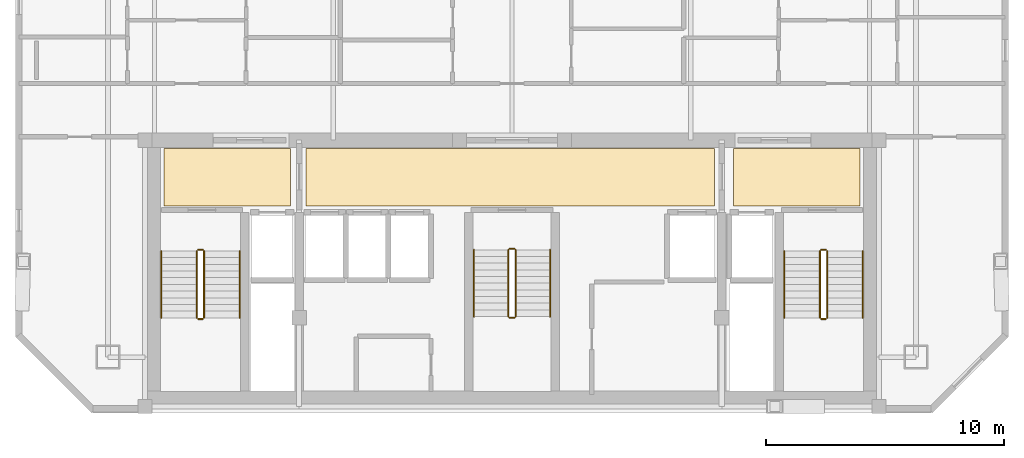
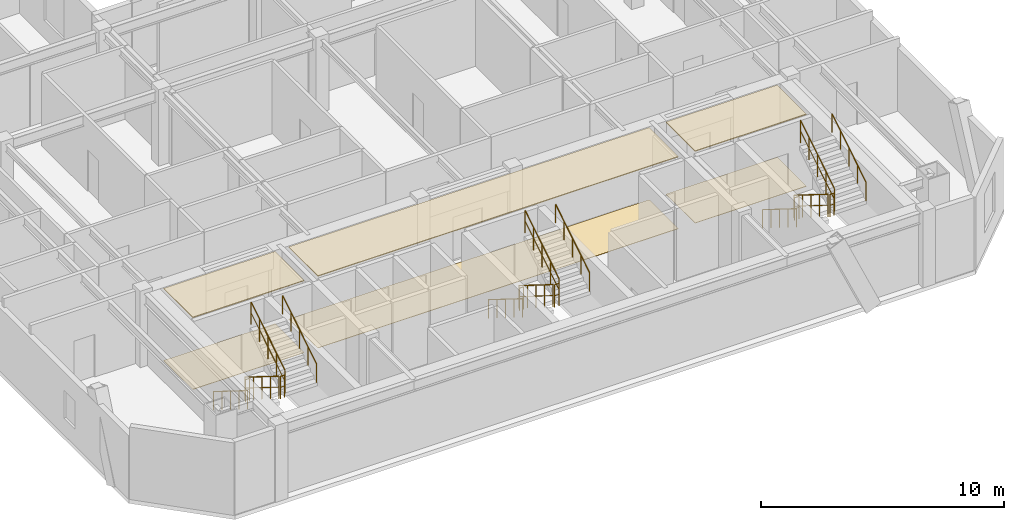
# One storey, part 11 of 11: 18 railings, 6 coverings.
"""IFC4 building model written with IfcOpenShell, lengths in metres."""

from ifc_helpers import new_model, si_unit, direction, frame, origin, origin_2d, place, context, subcontext, project, spatial, polyline, circle, outline, extrude, material, layer, layer_set, type_object, element, save


model = new_model("IFC4")

# Units and contexts
model_context = context("Model", 3, precision=1e-05, world=origin(), true_north=direction((0.0, 1.0)))
body_context = subcontext(model_context, "Body", "Model", "MODEL_VIEW")
ifc_project = project(units=[si_unit("LENGTHUNIT", "METRE"), si_unit("AREAUNIT", "SQUARE_METRE"), si_unit("VOLUMEUNIT", "CUBIC_METRE"), si_unit("PLANEANGLEUNIT", "RADIAN"), si_unit("MASSUNIT", "GRAM", prefix="KILO")], contexts=[model_context])

# Site, building, storey
site_placement = place(None, origin())
site = spatial("IfcSite", under=ifc_project, at=site_placement, CompositionType="ELEMENT")
building_placement = place(site_placement, origin())
building = spatial("IfcBuilding", under=site, at=building_placement, Name="Ventersveld Concourse Tower", CompositionType="ELEMENT")
storey_placement = place(building_placement, frame((0.0, 0.0, 256.75)))
storey = spatial("IfcBuildingStorey", under=building, at=storey_placement, Name="L63", CompositionType="ELEMENT", Elevation=256.75)

# Coverings
ifc_material_1 = material(Name="Mineral-fibre acoustic ceiling tile", Category="gypsum")
ifc_layer_1 = layer(ifc_material_1, 0.0400390625)
ifc_layer_set_1 = layer_set([ifc_layer_1], Name="Mineral-fibre acoustic ceiling tile")
covering_type_1 = type_object("IfcCoveringType", Name="COV-CEIL-ACOUSTIC", PredefinedType="CEILING", material=ifc_layer_set_1)
covering_1_placement = place(storey_placement, frame((0.0, 0.0, 3.610107421875)))
element("IfcCovering", 1, at=covering_1_placement, inside=storey, type_object=covering_type_1, Name="L63 North Lift Lobby Acoustic Ceiling", PredefinedType="CEILING", context=body_context, shape_type="SweptSolid", body=[
    extrude(outline(polyline([(20.10009765625, 8.699951171875), (37.25, 8.699951171875), (37.25, 11.10009765625), (20.10009765625, 11.10009765625), (20.10009765625, 8.699951171875)])), origin(), (0.0, 0.0, 1.0), 0.039794921875),
])
covering_2_placement = place(storey_placement, frame((0.0, 0.0, 3.610107421875)))
element("IfcCovering", 2, at=covering_2_placement, inside=storey, type_object=covering_type_1, Name="L63 West Firefighting Lobby Acoustic Ceiling", PredefinedType="CEILING", context=body_context, shape_type="SweptSolid", body=[
    extrude(outline(polyline([(14.14990234375, 8.699951171875), (19.449951171875, 8.699951171875), (19.449951171875, 11.10009765625), (14.14990234375, 11.10009765625), (14.14990234375, 8.699951171875)])), origin(), (0.0, 0.0, 1.0), 0.039794921875),
])
covering_3_placement = place(storey_placement, frame((0.0, 0.0, 3.610107421875)))
element("IfcCovering", 3, at=covering_3_placement, inside=storey, type_object=covering_type_1, Name="L63 East Firefighting Lobby Acoustic Ceiling", PredefinedType="CEILING", context=body_context, shape_type="SweptSolid", body=[
    extrude(outline(polyline([(38.050048828125, 8.699951171875), (43.35009765625, 8.699951171875), (43.35009765625, 11.10009765625), (38.050048828125, 11.10009765625), (38.050048828125, 8.699951171875)])), origin(), (0.0, 0.0, 1.0), 0.039794921875),
])
ifc_material_2 = material(Name="Polished Highveld granite terrazzo", Category="masonry")
ifc_layer_2 = layer(ifc_material_2, 0.02001953125)
ifc_layer_set_2 = layer_set([ifc_layer_2], Name="Polished Highveld granite terrazzo")
covering_type_2 = type_object("IfcCoveringType", Name="COV-FLOOR-TERRAZZO", PredefinedType="FLOORING", material=ifc_layer_set_2)
covering_4_placement = place(storey_placement, origin())
element("IfcCovering", 4, at=covering_4_placement, inside=storey, type_object=covering_type_2, Name="L63 North Lift Lobby Terrazzo Flooring", PredefinedType="FLOORING", context=body_context, shape_type="SweptSolid", body=[
    extrude(outline(polyline([(20.10009765625, 8.699951171875), (37.25, 8.699951171875), (37.25, 11.10009765625), (20.10009765625, 11.10009765625), (20.10009765625, 8.699951171875)])), origin(), (0.0, 0.0, 1.0), 0.02001953125),
])
covering_5_placement = place(storey_placement, origin())
element("IfcCovering", 5, at=covering_5_placement, inside=storey, type_object=covering_type_2, Name="L63 West Firefighting Lobby Terrazzo Flooring", PredefinedType="FLOORING", context=body_context, shape_type="SweptSolid", body=[
    extrude(outline(polyline([(14.14990234375, 8.699951171875), (19.449951171875, 8.699951171875), (19.449951171875, 11.10009765625), (14.14990234375, 11.10009765625), (14.14990234375, 8.699951171875)])), origin(), (0.0, 0.0, 1.0), 0.02001953125),
])
covering_6_placement = place(storey_placement, origin())
element("IfcCovering", 6, at=covering_6_placement, inside=storey, type_object=covering_type_2, Name="L63 East Firefighting Lobby Terrazzo Flooring", PredefinedType="FLOORING", context=body_context, shape_type="SweptSolid", body=[
    extrude(outline(polyline([(38.050048828125, 8.699951171875), (43.35009765625, 8.699951171875), (43.35009765625, 11.10009765625), (38.050048828125, 11.10009765625), (38.050048828125, 8.699951171875)])), origin(), (0.0, 0.0, 1.0), 0.02001953125),
])

# Railings
ifc_material_3 = material(Name="Brushed stainless steel 316", Category="steel")
railing_type_1 = type_object("IfcRailingType", Name="GD-BAL-115", PredefinedType="GUARDRAIL", material=ifc_material_3)
railing_1_placement = place(storey_placement, frame((15.530029296875, 6.800048828125, 0.175048828125)))
element("IfcRailing", 7, at=railing_1_placement, inside=storey, type_object=railing_type_1, Name="L63 ST-01 stair guard 1", PredefinedType="GUARDRAIL", context=body_context, shape_type="SweptSolid", body=[
    extrude(circle(Radius=0.02392578125, at=origin_2d()), frame((0.0, 0.0, 1.1259765625), z_axis=(0.0, -0.848002457836, 0.529992293815), x_axis=(1.0, 0.0, 0.0)), (0.0, 0.0, 1.0), 3.302001953125),
    extrude(circle(Radius=0.01611328125, at=origin_2d()), frame((0.0, 0.0, 0.574951171875), z_axis=(0.0, -0.848002457836, 0.529992293815), x_axis=(1.0, 0.0, 0.0)), (0.0, 0.0, 1.0), 3.302001953125),
    extrude(circle(Radius=0.02099609375, at=origin_2d()), origin(), (0.0, 0.0, 1.0), 1.101806640625),
    extrude(circle(Radius=0.02099609375, at=origin_2d()), frame((0.0, -0.699951171875, 0.4375)), (0.0, 0.0, 1.0), 1.101806640625),
    extrude(circle(Radius=0.02099609375, at=origin_2d()), frame((0.0, -1.39990234375, 0.875)), (0.0, 0.0, 1.0), 1.101806640625),
    extrude(circle(Radius=0.02099609375, at=origin_2d()), frame((0.0, -2.10009765625, 1.3125)), (0.0, 0.0, 1.0), 1.101806640625),
    extrude(circle(Radius=0.02099609375, at=origin_2d()), frame((0.0, -2.800048828125, 1.75)), (0.0, 0.0, 1.0), 1.101806640625),
])
railing_2_placement = place(storey_placement, frame((15.580078125, 3.949951171875, 1.925048828125)))
element("IfcRailing", 8, at=railing_2_placement, inside=storey, type_object=railing_type_1, Name="L63 ST-01 stair guard 2", PredefinedType="GUARDRAIL", context=body_context, shape_type="SweptSolid", body=[
    extrude(circle(Radius=0.02392578125, at=origin_2d()), frame((0.0, 0.0, 1.1259765625), z_axis=(1.0, 0.0, 0.0), x_axis=(0.0, 1.0, 0.0)), (0.0, 0.0, 1.0), 0.199951171875),
    extrude(circle(Radius=0.01611328125, at=origin_2d()), frame((0.0, 0.0, 0.574951171875), z_axis=(1.0, 0.0, 0.0), x_axis=(0.0, 1.0, 0.0)), (0.0, 0.0, 1.0), 0.199951171875),
    extrude(circle(Radius=0.02099609375, at=origin_2d()), origin(), (0.0, 0.0, 1.0), 1.101806640625),
    extrude(circle(Radius=0.02099609375, at=origin_2d()), frame((0.199951171875, 0.0, 0.0)), (0.0, 0.0, 1.0), 1.101806640625),
])
railing_3_placement = place(storey_placement, frame((15.830078125, 4.0, 2.10009765625)))
element("IfcRailing", 9, at=railing_3_placement, inside=storey, type_object=railing_type_1, Name="L63 ST-01 stair guard 3", PredefinedType="GUARDRAIL", context=body_context, shape_type="SweptSolid", body=[
    extrude(circle(Radius=0.02392578125, at=origin_2d()), frame((0.0, 0.0, 1.1259765625), z_axis=(0.0, 0.848002457836, 0.529992293815), x_axis=(-1.0, 0.0, 0.0)), (0.0, 0.0, 1.0), 3.302001953125),
    extrude(circle(Radius=0.01611328125, at=origin_2d()), frame((0.0, 0.0, 0.574951171875), z_axis=(0.0, 0.848002457836, 0.529992293815), x_axis=(-1.0, 0.0, 0.0)), (0.0, 0.0, 1.0), 3.302001953125),
    extrude(circle(Radius=0.02099609375, at=origin_2d()), origin(), (0.0, 0.0, 1.0), 1.101806640625),
    extrude(circle(Radius=0.02099609375, at=origin_2d()), frame((0.0, 0.699951171875, 0.4375)), (0.0, 0.0, 1.0), 1.101806640625),
    extrude(circle(Radius=0.02099609375, at=origin_2d()), frame((0.0, 1.39990234375, 0.875)), (0.0, 0.0, 1.0), 1.101806640625),
    extrude(circle(Radius=0.02099609375, at=origin_2d()), frame((0.0, 2.10009765625, 1.3125)), (0.0, 0.0, 1.0), 1.101806640625),
    extrude(circle(Radius=0.02099609375, at=origin_2d()), frame((0.0, 2.800048828125, 1.75)), (0.0, 0.0, 1.0), 1.101806640625),
])
railing_4_placement = place(storey_placement, frame((15.580078125, 6.85009765625, 0.0)))
element("IfcRailing", 10, at=railing_4_placement, inside=storey, type_object=railing_type_1, Name="L63 ST-01 stair guard 4", PredefinedType="GUARDRAIL", context=body_context, shape_type="SweptSolid", body=[
    extrude(circle(Radius=0.02392578125, at=origin_2d()), frame((0.0, 0.0, 1.1259765625), z_axis=(1.0, 0.0, 0.0), x_axis=(0.0, 1.0, 0.0)), (0.0, 0.0, 1.0), 0.199951171875),
    extrude(circle(Radius=0.01611328125, at=origin_2d()), frame((0.0, 0.0, 0.574951171875), z_axis=(1.0, 0.0, 0.0), x_axis=(0.0, 1.0, 0.0)), (0.0, 0.0, 1.0), 0.199951171875),
    extrude(circle(Radius=0.02099609375, at=origin_2d()), origin(), (0.0, 0.0, 1.0), 1.101806640625),
    extrude(circle(Radius=0.02099609375, at=origin_2d()), frame((0.199951171875, 0.0, 0.0)), (0.0, 0.0, 1.0), 1.101806640625),
])
railing_5_placement = place(storey_placement, frame((41.669921875, 6.800048828125, 0.175048828125)))
element("IfcRailing", 11, at=railing_5_placement, inside=storey, type_object=railing_type_1, Name="L63 ST-02 stair guard 1", PredefinedType="GUARDRAIL", context=body_context, shape_type="SweptSolid", body=[
    extrude(circle(Radius=0.02392578125, at=origin_2d()), frame((0.0, 0.0, 1.1259765625), z_axis=(0.0, -0.848002457836, 0.529992293815), x_axis=(1.0, 0.0, 0.0)), (0.0, 0.0, 1.0), 3.302001953125),
    extrude(circle(Radius=0.01611328125, at=origin_2d()), frame((0.0, 0.0, 0.574951171875), z_axis=(0.0, -0.848002457836, 0.529992293815), x_axis=(1.0, 0.0, 0.0)), (0.0, 0.0, 1.0), 3.302001953125),
    extrude(circle(Radius=0.02099609375, at=origin_2d()), origin(), (0.0, 0.0, 1.0), 1.101806640625),
    extrude(circle(Radius=0.02099609375, at=origin_2d()), frame((0.0, -0.699951171875, 0.4375)), (0.0, 0.0, 1.0), 1.101806640625),
    extrude(circle(Radius=0.02099609375, at=origin_2d()), frame((0.0, -1.39990234375, 0.875)), (0.0, 0.0, 1.0), 1.101806640625),
    extrude(circle(Radius=0.02099609375, at=origin_2d()), frame((0.0, -2.10009765625, 1.3125)), (0.0, 0.0, 1.0), 1.101806640625),
    extrude(circle(Radius=0.02099609375, at=origin_2d()), frame((0.0, -2.800048828125, 1.75)), (0.0, 0.0, 1.0), 1.101806640625),
])
railing_6_placement = place(storey_placement, frame((41.719970703125, 3.949951171875, 1.925048828125)))
element("IfcRailing", 12, at=railing_6_placement, inside=storey, type_object=railing_type_1, Name="L63 ST-02 stair guard 2", PredefinedType="GUARDRAIL", context=body_context, shape_type="SweptSolid", body=[
    extrude(circle(Radius=0.02392578125, at=origin_2d()), frame((0.0, 0.0, 1.1259765625), z_axis=(1.0, 0.0, 0.0), x_axis=(0.0, 1.0, 0.0)), (0.0, 0.0, 1.0), 0.199951171875),
    extrude(circle(Radius=0.01611328125, at=origin_2d()), frame((0.0, 0.0, 0.574951171875), z_axis=(1.0, 0.0, 0.0), x_axis=(0.0, 1.0, 0.0)), (0.0, 0.0, 1.0), 0.199951171875),
    extrude(circle(Radius=0.02099609375, at=origin_2d()), origin(), (0.0, 0.0, 1.0), 1.101806640625),
    extrude(circle(Radius=0.02099609375, at=origin_2d()), frame((0.199951171875, 0.0, 0.0)), (0.0, 0.0, 1.0), 1.101806640625),
])
railing_7_placement = place(storey_placement, frame((41.969970703125, 4.0, 2.10009765625)))
element("IfcRailing", 13, at=railing_7_placement, inside=storey, type_object=railing_type_1, Name="L63 ST-02 stair guard 3", PredefinedType="GUARDRAIL", context=body_context, shape_type="SweptSolid", body=[
    extrude(circle(Radius=0.02392578125, at=origin_2d()), frame((0.0, 0.0, 1.1259765625), z_axis=(0.0, 0.848002457836, 0.529992293815), x_axis=(-1.0, 0.0, 0.0)), (0.0, 0.0, 1.0), 3.302001953125),
    extrude(circle(Radius=0.01611328125, at=origin_2d()), frame((0.0, 0.0, 0.574951171875), z_axis=(0.0, 0.848002457836, 0.529992293815), x_axis=(-1.0, 0.0, 0.0)), (0.0, 0.0, 1.0), 3.302001953125),
    extrude(circle(Radius=0.02099609375, at=origin_2d()), origin(), (0.0, 0.0, 1.0), 1.101806640625),
    extrude(circle(Radius=0.02099609375, at=origin_2d()), frame((0.0, 0.699951171875, 0.4375)), (0.0, 0.0, 1.0), 1.101806640625),
    extrude(circle(Radius=0.02099609375, at=origin_2d()), frame((0.0, 1.39990234375, 0.875)), (0.0, 0.0, 1.0), 1.101806640625),
    extrude(circle(Radius=0.02099609375, at=origin_2d()), frame((0.0, 2.10009765625, 1.3125)), (0.0, 0.0, 1.0), 1.101806640625),
    extrude(circle(Radius=0.02099609375, at=origin_2d()), frame((0.0, 2.800048828125, 1.75)), (0.0, 0.0, 1.0), 1.101806640625),
])
railing_8_placement = place(storey_placement, frame((41.719970703125, 6.85009765625, 0.0)))
element("IfcRailing", 14, at=railing_8_placement, inside=storey, type_object=railing_type_1, Name="L63 ST-02 stair guard 4", PredefinedType="GUARDRAIL", context=body_context, shape_type="SweptSolid", body=[
    extrude(circle(Radius=0.02392578125, at=origin_2d()), frame((0.0, 0.0, 1.1259765625), z_axis=(1.0, 0.0, 0.0), x_axis=(0.0, 1.0, 0.0)), (0.0, 0.0, 1.0), 0.199951171875),
    extrude(circle(Radius=0.01611328125, at=origin_2d()), frame((0.0, 0.0, 0.574951171875), z_axis=(1.0, 0.0, 0.0), x_axis=(0.0, 1.0, 0.0)), (0.0, 0.0, 1.0), 0.199951171875),
    extrude(circle(Radius=0.02099609375, at=origin_2d()), origin(), (0.0, 0.0, 1.0), 1.101806640625),
    extrude(circle(Radius=0.02099609375, at=origin_2d()), frame((0.199951171875, 0.0, 0.0)), (0.0, 0.0, 1.0), 1.101806640625),
])
railing_9_placement = place(storey_placement, frame((28.60009765625, 6.85009765625, 0.175048828125)))
element("IfcRailing", 15, at=railing_9_placement, inside=storey, type_object=railing_type_1, Name="L63 ST-03 stair guard 1", PredefinedType="GUARDRAIL", context=body_context, shape_type="SweptSolid", body=[
    extrude(circle(Radius=0.02392578125, at=origin_2d()), frame((0.0, 0.0, 1.1259765625), z_axis=(0.0, -0.848002457836, 0.529992293815), x_axis=(1.0, 0.0, 0.0)), (0.0, 0.0, 1.0), 3.302001953125),
    extrude(circle(Radius=0.01611328125, at=origin_2d()), frame((0.0, 0.0, 0.574951171875), z_axis=(0.0, -0.848002457836, 0.529992293815), x_axis=(1.0, 0.0, 0.0)), (0.0, 0.0, 1.0), 3.302001953125),
    extrude(circle(Radius=0.02099609375, at=origin_2d()), origin(), (0.0, 0.0, 1.0), 1.101806640625),
    extrude(circle(Radius=0.02099609375, at=origin_2d()), frame((0.0, -0.699951171875, 0.4375)), (0.0, 0.0, 1.0), 1.101806640625),
    extrude(circle(Radius=0.02099609375, at=origin_2d()), frame((0.0, -1.39990234375, 0.875)), (0.0, 0.0, 1.0), 1.101806640625),
    extrude(circle(Radius=0.02099609375, at=origin_2d()), frame((0.0, -2.10009765625, 1.3125)), (0.0, 0.0, 1.0), 1.101806640625),
    extrude(circle(Radius=0.02099609375, at=origin_2d()), frame((0.0, -2.800048828125, 1.75)), (0.0, 0.0, 1.0), 1.101806640625),
])
railing_10_placement = place(storey_placement, frame((28.64990234375, 4.0, 1.925048828125)))
element("IfcRailing", 16, at=railing_10_placement, inside=storey, type_object=railing_type_1, Name="L63 ST-03 stair guard 2", PredefinedType="GUARDRAIL", context=body_context, shape_type="SweptSolid", body=[
    extrude(circle(Radius=0.02392578125, at=origin_2d()), frame((0.0, 0.0, 1.1259765625), z_axis=(1.0, 0.0, 0.0), x_axis=(0.0, 1.0, 0.0)), (0.0, 0.0, 1.0), 0.2001953125),
    extrude(circle(Radius=0.01611328125, at=origin_2d()), frame((0.0, 0.0, 0.574951171875), z_axis=(1.0, 0.0, 0.0), x_axis=(0.0, 1.0, 0.0)), (0.0, 0.0, 1.0), 0.2001953125),
    extrude(circle(Radius=0.02099609375, at=origin_2d()), origin(), (0.0, 0.0, 1.0), 1.101806640625),
    extrude(circle(Radius=0.02099609375, at=origin_2d()), frame((0.2001953125, 0.0, 0.0)), (0.0, 0.0, 1.0), 1.101806640625),
])
railing_11_placement = place(storey_placement, frame((28.89990234375, 4.050048828125, 2.10009765625)))
element("IfcRailing", 17, at=railing_11_placement, inside=storey, type_object=railing_type_1, Name="L63 ST-03 stair guard 3", PredefinedType="GUARDRAIL", context=body_context, shape_type="SweptSolid", body=[
    extrude(circle(Radius=0.02392578125, at=origin_2d()), frame((0.0, 0.0, 1.1259765625), z_axis=(0.0, 0.848002457836, 0.529992293815), x_axis=(-1.0, 0.0, 0.0)), (0.0, 0.0, 1.0), 3.302001953125),
    extrude(circle(Radius=0.01611328125, at=origin_2d()), frame((0.0, 0.0, 0.574951171875), z_axis=(0.0, 0.848002457836, 0.529992293815), x_axis=(-1.0, 0.0, 0.0)), (0.0, 0.0, 1.0), 3.302001953125),
    extrude(circle(Radius=0.02099609375, at=origin_2d()), origin(), (0.0, 0.0, 1.0), 1.101806640625),
    extrude(circle(Radius=0.02099609375, at=origin_2d()), frame((0.0, 0.699951171875, 0.4375)), (0.0, 0.0, 1.0), 1.101806640625),
    extrude(circle(Radius=0.02099609375, at=origin_2d()), frame((0.0, 1.39990234375, 0.875)), (0.0, 0.0, 1.0), 1.101806640625),
    extrude(circle(Radius=0.02099609375, at=origin_2d()), frame((0.0, 2.10009765625, 1.3125)), (0.0, 0.0, 1.0), 1.101806640625),
    extrude(circle(Radius=0.02099609375, at=origin_2d()), frame((0.0, 2.800048828125, 1.75)), (0.0, 0.0, 1.0), 1.101806640625),
])
railing_12_placement = place(storey_placement, frame((28.64990234375, 6.89990234375, 0.0)))
element("IfcRailing", 18, at=railing_12_placement, inside=storey, type_object=railing_type_1, Name="L63 ST-03 stair guard 4", PredefinedType="GUARDRAIL", context=body_context, shape_type="SweptSolid", body=[
    extrude(circle(Radius=0.02392578125, at=origin_2d()), frame((0.0, 0.0, 1.1259765625), z_axis=(1.0, 0.0, 0.0), x_axis=(0.0, 1.0, 0.0)), (0.0, 0.0, 1.0), 0.2001953125),
    extrude(circle(Radius=0.01611328125, at=origin_2d()), frame((0.0, 0.0, 0.574951171875), z_axis=(1.0, 0.0, 0.0), x_axis=(0.0, 1.0, 0.0)), (0.0, 0.0, 1.0), 0.2001953125),
    extrude(circle(Radius=0.02099609375, at=origin_2d()), origin(), (0.0, 0.0, 1.0), 1.101806640625),
    extrude(circle(Radius=0.02099609375, at=origin_2d()), frame((0.2001953125, 0.0, 0.0)), (0.0, 0.0, 1.0), 1.101806640625),
])
railing_type_2 = type_object("IfcRailingType", Name="HR-RMP-095", PredefinedType="HANDRAIL", material=ifc_material_3)
railing_13_placement = place(storey_placement, frame((14.030029296875, 6.800048828125, 0.175048828125)))
element("IfcRailing", 19, at=railing_13_placement, inside=storey, type_object=railing_type_2, Name="L63 ST-01 stair handrail 1", PredefinedType="HANDRAIL", context=body_context, shape_type="SweptSolid", body=[
    extrude(circle(Radius=0.02392578125, at=origin_2d()), frame((0.0, 0.0, 0.92578125), z_axis=(0.0, -0.848002457836, 0.529992293815), x_axis=(1.0, 0.0, 0.0)), (0.0, 0.0, 1.0), 3.302001953125),
    extrude(circle(Radius=0.02099609375, at=origin_2d()), origin(), (0.0, 0.0, 1.0), 0.90185546875),
    extrude(circle(Radius=0.02099609375, at=origin_2d()), frame((0.0, -0.699951171875, 0.4375)), (0.0, 0.0, 1.0), 0.90185546875),
    extrude(circle(Radius=0.02099609375, at=origin_2d()), frame((0.0, -1.39990234375, 0.875)), (0.0, 0.0, 1.0), 0.90185546875),
    extrude(circle(Radius=0.02099609375, at=origin_2d()), frame((0.0, -2.10009765625, 1.3125)), (0.0, 0.0, 1.0), 0.90185546875),
    extrude(circle(Radius=0.02099609375, at=origin_2d()), frame((0.0, -2.800048828125, 1.75)), (0.0, 0.0, 1.0), 0.90185546875),
])
railing_14_placement = place(storey_placement, frame((17.330078125, 4.0, 2.10009765625)))
element("IfcRailing", 20, at=railing_14_placement, inside=storey, type_object=railing_type_2, Name="L63 ST-01 stair handrail 2", PredefinedType="HANDRAIL", context=body_context, shape_type="SweptSolid", body=[
    extrude(circle(Radius=0.02392578125, at=origin_2d()), frame((0.0, 0.0, 0.92578125), z_axis=(0.0, 0.848002457836, 0.529992293815), x_axis=(-1.0, 0.0, 0.0)), (0.0, 0.0, 1.0), 3.302001953125),
    extrude(circle(Radius=0.02099609375, at=origin_2d()), origin(), (0.0, 0.0, 1.0), 0.90185546875),
    extrude(circle(Radius=0.02099609375, at=origin_2d()), frame((0.0, 0.699951171875, 0.4375)), (0.0, 0.0, 1.0), 0.90185546875),
    extrude(circle(Radius=0.02099609375, at=origin_2d()), frame((0.0, 1.39990234375, 0.875)), (0.0, 0.0, 1.0), 0.90185546875),
    extrude(circle(Radius=0.02099609375, at=origin_2d()), frame((0.0, 2.10009765625, 1.3125)), (0.0, 0.0, 1.0), 0.90185546875),
    extrude(circle(Radius=0.02099609375, at=origin_2d()), frame((0.0, 2.800048828125, 1.75)), (0.0, 0.0, 1.0), 0.90185546875),
])
railing_15_placement = place(storey_placement, frame((40.169921875, 6.800048828125, 0.175048828125)))
element("IfcRailing", 21, at=railing_15_placement, inside=storey, type_object=railing_type_2, Name="L63 ST-02 stair handrail 1", PredefinedType="HANDRAIL", context=body_context, shape_type="SweptSolid", body=[
    extrude(circle(Radius=0.02392578125, at=origin_2d()), frame((0.0, 0.0, 0.92578125), z_axis=(0.0, -0.848002457836, 0.529992293815), x_axis=(1.0, 0.0, 0.0)), (0.0, 0.0, 1.0), 3.302001953125),
    extrude(circle(Radius=0.02099609375, at=origin_2d()), origin(), (0.0, 0.0, 1.0), 0.90185546875),
    extrude(circle(Radius=0.02099609375, at=origin_2d()), frame((0.0, -0.699951171875, 0.4375)), (0.0, 0.0, 1.0), 0.90185546875),
    extrude(circle(Radius=0.02099609375, at=origin_2d()), frame((0.0, -1.39990234375, 0.875)), (0.0, 0.0, 1.0), 0.90185546875),
    extrude(circle(Radius=0.02099609375, at=origin_2d()), frame((0.0, -2.10009765625, 1.3125)), (0.0, 0.0, 1.0), 0.90185546875),
    extrude(circle(Radius=0.02099609375, at=origin_2d()), frame((0.0, -2.800048828125, 1.75)), (0.0, 0.0, 1.0), 0.90185546875),
])
railing_16_placement = place(storey_placement, frame((43.469970703125, 4.0, 2.10009765625)))
element("IfcRailing", 22, at=railing_16_placement, inside=storey, type_object=railing_type_2, Name="L63 ST-02 stair handrail 2", PredefinedType="HANDRAIL", context=body_context, shape_type="SweptSolid", body=[
    extrude(circle(Radius=0.02392578125, at=origin_2d()), frame((0.0, 0.0, 0.92578125), z_axis=(0.0, 0.848002457836, 0.529992293815), x_axis=(-1.0, 0.0, 0.0)), (0.0, 0.0, 1.0), 3.302001953125),
    extrude(circle(Radius=0.02099609375, at=origin_2d()), origin(), (0.0, 0.0, 1.0), 0.90185546875),
    extrude(circle(Radius=0.02099609375, at=origin_2d()), frame((0.0, 0.699951171875, 0.4375)), (0.0, 0.0, 1.0), 0.90185546875),
    extrude(circle(Radius=0.02099609375, at=origin_2d()), frame((0.0, 1.39990234375, 0.875)), (0.0, 0.0, 1.0), 0.90185546875),
    extrude(circle(Radius=0.02099609375, at=origin_2d()), frame((0.0, 2.10009765625, 1.3125)), (0.0, 0.0, 1.0), 0.90185546875),
    extrude(circle(Radius=0.02099609375, at=origin_2d()), frame((0.0, 2.800048828125, 1.75)), (0.0, 0.0, 1.0), 0.90185546875),
])
railing_17_placement = place(storey_placement, frame((27.14990234375, 6.85009765625, 0.175048828125)))
element("IfcRailing", 23, at=railing_17_placement, inside=storey, type_object=railing_type_2, Name="L63 ST-03 stair handrail 1", PredefinedType="HANDRAIL", context=body_context, shape_type="SweptSolid", body=[
    extrude(circle(Radius=0.02392578125, at=origin_2d()), frame((0.0, 0.0, 0.92578125), z_axis=(0.0, -0.848002457836, 0.529992293815), x_axis=(1.0, 0.0, 0.0)), (0.0, 0.0, 1.0), 3.302001953125),
    extrude(circle(Radius=0.02099609375, at=origin_2d()), origin(), (0.0, 0.0, 1.0), 0.90185546875),
    extrude(circle(Radius=0.02099609375, at=origin_2d()), frame((0.0, -0.699951171875, 0.4375)), (0.0, 0.0, 1.0), 0.90185546875),
    extrude(circle(Radius=0.02099609375, at=origin_2d()), frame((0.0, -1.39990234375, 0.875)), (0.0, 0.0, 1.0), 0.90185546875),
    extrude(circle(Radius=0.02099609375, at=origin_2d()), frame((0.0, -2.10009765625, 1.3125)), (0.0, 0.0, 1.0), 0.90185546875),
    extrude(circle(Radius=0.02099609375, at=origin_2d()), frame((0.0, -2.800048828125, 1.75)), (0.0, 0.0, 1.0), 0.90185546875),
])
railing_18_placement = place(storey_placement, frame((30.35009765625, 4.050048828125, 2.10009765625)))
element("IfcRailing", 24, at=railing_18_placement, inside=storey, type_object=railing_type_2, Name="L63 ST-03 stair handrail 2", PredefinedType="HANDRAIL", context=body_context, shape_type="SweptSolid", body=[
    extrude(circle(Radius=0.02392578125, at=origin_2d()), frame((0.0, 0.0, 0.92578125), z_axis=(0.0, 0.848002457836, 0.529992293815), x_axis=(-1.0, 0.0, 0.0)), (0.0, 0.0, 1.0), 3.302001953125),
    extrude(circle(Radius=0.02099609375, at=origin_2d()), origin(), (0.0, 0.0, 1.0), 0.90185546875),
    extrude(circle(Radius=0.02099609375, at=origin_2d()), frame((0.0, 0.699951171875, 0.4375)), (0.0, 0.0, 1.0), 0.90185546875),
    extrude(circle(Radius=0.02099609375, at=origin_2d()), frame((0.0, 1.39990234375, 0.875)), (0.0, 0.0, 1.0), 0.90185546875),
    extrude(circle(Radius=0.02099609375, at=origin_2d()), frame((0.0, 2.10009765625, 1.3125)), (0.0, 0.0, 1.0), 0.90185546875),
    extrude(circle(Radius=0.02099609375, at=origin_2d()), frame((0.0, 2.800048828125, 1.75)), (0.0, 0.0, 1.0), 0.90185546875),
])

save(model, "model.ifc")
